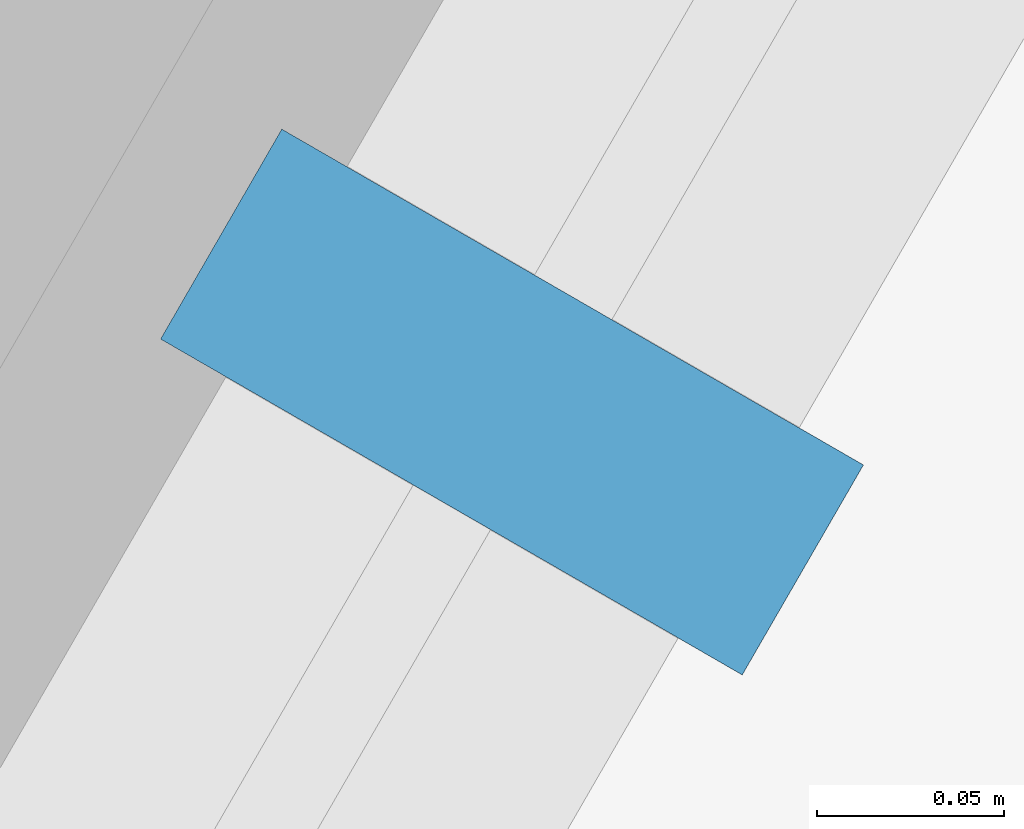
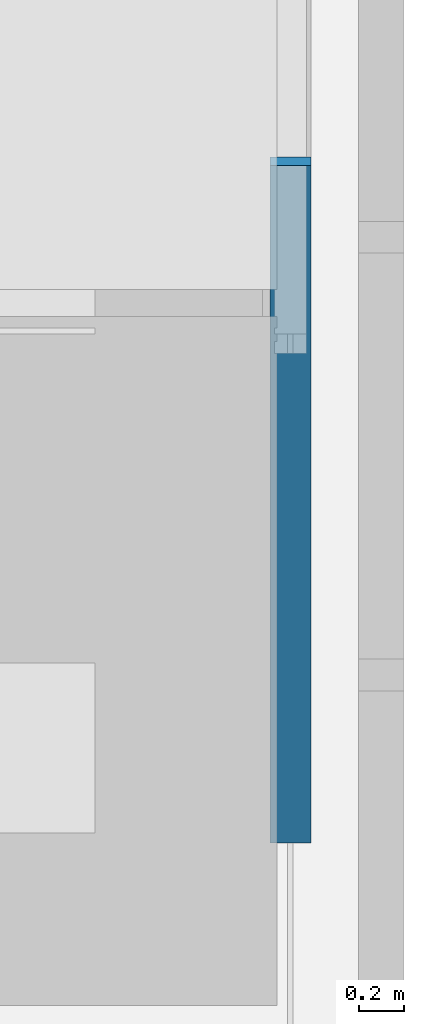
# One storey, part 111 of 256: 1 member, 1 element without a shape of its own.
"""IFC4 building model written with IfcOpenShell, lengths in metres."""

from ifc_helpers import new_model, si_unit, direction, frame, origin, origin_2d, place, context, subcontext, project, spatial, rectangle, extrude, material, material_profile, profile_set, type_object, element, aggregate, save


model = new_model("IFC4")

# Units and contexts
model_context = context("Model", 3, precision=1e-05, world=origin(), true_north=direction((0.0, 1.0)))
body_context = subcontext(model_context, "Body", "Model", "MODEL_VIEW")
ifc_project = project(units=[si_unit("LENGTHUNIT", "METRE"), si_unit("AREAUNIT", "SQUARE_METRE"), si_unit("VOLUMEUNIT", "CUBIC_METRE"), si_unit("PLANEANGLEUNIT", "RADIAN"), si_unit("MASSUNIT", "GRAM", prefix="KILO")], contexts=[model_context])

# Site, building, storey
site_placement = place(None, origin())
site = spatial("IfcSite", under=ifc_project, at=site_placement, CompositionType="ELEMENT")
building_placement = place(site_placement, origin())
building = spatial("IfcBuilding", under=site, at=building_placement, Name="Sandreach Pilgrim Tower", CompositionType="ELEMENT")
storey_placement = place(building_placement, frame((0.0, 0.0, 23.0)))
storey = spatial("IfcBuildingStorey", under=building, at=storey_placement, Name="L04", CompositionType="ELEMENT", Elevation=23.0)

# Curtain wall, member
ifc_material_1 = material(Name="Aluminium framed curtain wall", Category="aluminium")
curtain_wall_type = type_object("IfcCurtainWallType", Name="Hostel tower curtain wall", PredefinedType="NOTDEFINED", material=ifc_material_1)
curtain_wall_placement = place(storey_placement, origin())
curtain_wall = element("IfcCurtainWall", 1, at=curtain_wall_placement, inside=storey, type_object=curtain_wall_type, Name="CW-1 L04 SE", PredefinedType="NOTDEFINED")
ifc_material_2 = material(Name="Aluminium extrusion", Category="aluminium")
ifc_material_profile = material_profile(ifc_material_2, rectangle(XDim=0.06494140625, YDim=0.179931640625, at=origin_2d()), Name="CW-1M 65X180")
ifc_profile_set = profile_set([ifc_material_profile], Name="Aluminium extrusion")
member_type = type_object("IfcMemberType", Name="CW-1 mullion", PredefinedType="MULLION", material=ifc_profile_set)
member_placement = place(storey_placement, frame((21.8330078125, -10.081298828125, 0.0), z_axis=(0.0, 0.0, 1.0), x_axis=(-0.5, -0.866025403784, 0.0)))
member = element("IfcMember", 2, at=member_placement, type_object=member_type, Name="CW-1 mullion 5", PredefinedType="MULLION", context=body_context, shape_type="SweptSolid", body=[
    extrude(rectangle(XDim=0.06494140625, YDim=0.179931640625, at=origin_2d()), origin(), (0.0, 0.0, 1.0), 3.639892578125),
])
aggregate(curtain_wall, [member])

save(model, "model.ifc")
